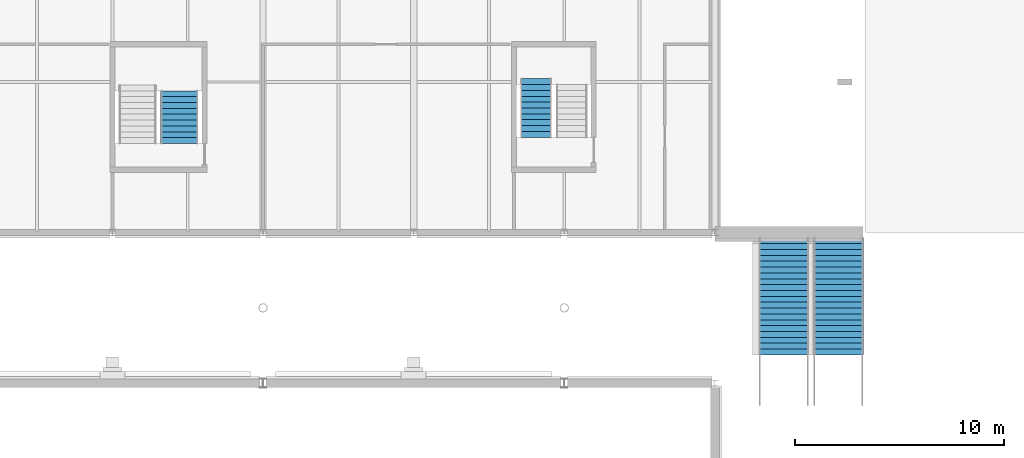
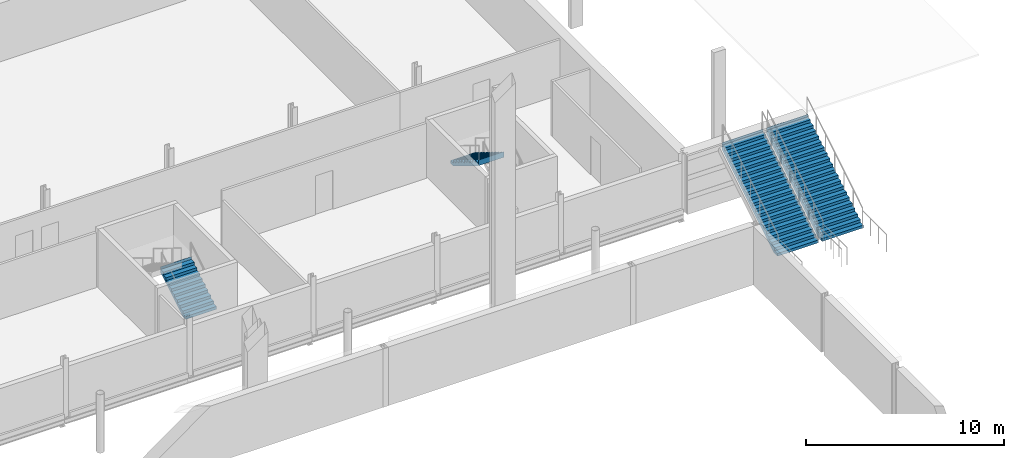
# One storey, part 75 of 90: 4 stair flights, 4 elements without a shape of their own.
"""IFC4 building model written with IfcOpenShell, lengths in metres."""

from ifc_helpers import new_model, si_unit, direction, frame, origin, place, context, subcontext, project, spatial, polyline, outline, extrude, material, type_object, element, aggregate, save


model = new_model("IFC4")

# Units and contexts
model_context = context("Model", 3, precision=1e-05, world=origin(), true_north=direction((0.0, 1.0)))
body_context = subcontext(model_context, "Body", "Model", "MODEL_VIEW")
ifc_project = project(units=[si_unit("LENGTHUNIT", "METRE"), si_unit("AREAUNIT", "SQUARE_METRE"), si_unit("VOLUMEUNIT", "CUBIC_METRE"), si_unit("PLANEANGLEUNIT", "RADIAN"), si_unit("MASSUNIT", "GRAM", prefix="KILO")], contexts=[model_context])

# Site, building, storey
site_placement = place(None, origin())
site = spatial("IfcSite", under=ifc_project, at=site_placement, CompositionType="ELEMENT")
building_placement = place(site_placement, origin())
building = spatial("IfcBuilding", under=site, at=building_placement, Name="Kupolbacken Congress Centre", CompositionType="ELEMENT")
storey_placement = place(building_placement, frame((0.0, 0.0, 3.60009765625)))
storey = spatial("IfcBuildingStorey", under=building, at=storey_placement, Name="L01", CompositionType="ELEMENT", Elevation=3.60009765625)

# Stair, stair flight
ifc_material_1 = material(Name="Steel S355", Category="steel")
stair_type_1 = type_object("IfcStairType", Name="ST2 stair 1500", PredefinedType="TWO_STRAIGHT_RUN_STAIR", material=ifc_material_1)
stair_1_placement = place(storey_placement, origin())
stair_1 = element("IfcStair", 1, at=stair_1_placement, inside=storey, type_object=stair_type_1, Name="C/stair/BS3/L01", PredefinedType="NOTDEFINED")
ifc_material_2 = material(Name="Steel S355", Category="steel")
stair_flight_type_1 = type_object("IfcStairFlightType", Name="FL4 stair flight 1500 x 11 risers", PredefinedType="STRAIGHT", material=ifc_material_2)
stair_flight_1_placement = place(storey_placement, frame((193.050048828125, 129.7548828125, 1.714111328125), z_axis=(0.0, 0.0, 1.0), x_axis=(0.0, -1.0, 0.0)))
stair_flight_1 = element("IfcStairFlight", 2, at=stair_flight_1_placement, type_object=stair_flight_type_1, Name="BS3 flight 2", NumberOfRisers=11, NumberOfTreads=10, PredefinedType="STRAIGHT", RiserHeight=0.171428571, TreadLength=0.28, context=body_context, shape_type="SweptSolid", body=[
    extrude(outline(polyline([(0.0, 0.0), (0.0, 0.0009765625), (0.0, 0.002197265625), (0.0, 0.003173828125), (0.0, 0.004150390625), (0.0, 0.00537109375), (0.0, 0.00634765625), (0.0, 0.007568359375), (0.0, 0.008544921875), (0.0, 0.009521484375), (0.0, 0.0107421875), (0.0, 0.01171875), (0.0, 0.0126953125), (0.0, 0.013916015625), (0.0, 0.014892578125), (0.0, 0.015869140625), (0.0, 0.01708984375), (0.0, 0.01806640625), (0.0, 0.019287109375), (0.0, 0.020263671875), (0.0, 0.021240234375), (0.0, 0.0224609375), (0.0, 0.0234375), (0.0, 0.0244140625), (0.0, 0.025634765625), (0.0, 0.026611328125), (0.0, 0.027587890625), (0.0, 0.02880859375), (0.0, 0.02978515625), (0.0, 0.03076171875), (0.0, 0.031982421875), (0.0, 0.032958984375), (0.0, 0.0341796875), (0.0, 0.03515625), (0.0, 0.0361328125), (0.0, 0.037353515625), (0.0, 0.038330078125), (0.0, 0.039306640625), (0.0, 0.04052734375), (0.0, 0.04150390625), (0.0, 0.04248046875), (0.0, 0.043701171875), (0.0, 0.044677734375), (0.0, 0.0458984375), (0.0, 0.046875), (0.0, 0.0478515625), (0.0, 0.049072265625), (0.0, 0.050048828125), (0.0, 0.051025390625), (0.0, 0.05224609375), (0.0, 0.05322265625), (0.0, 0.05419921875), (0.0, 0.055419921875), (0.0, 0.056396484375), (0.0, 0.0576171875), (0.0, 0.05859375), (0.0, 0.0595703125), (0.0, 0.060791015625), (0.0, 0.061767578125), (0.0, 0.062744140625), (0.0, 0.06396484375), (0.0, 0.06494140625), (0.0, 0.06591796875), (0.0, 0.067138671875), (0.0, 0.068115234375), (0.0, 0.069091796875), (0.0, 0.0703125), (0.0, 0.0712890625), (0.0, 0.072509765625), (0.0, 0.073486328125), (0.0, 0.074462890625), (0.0, 0.07568359375), (0.0, 0.07666015625), (0.0, 0.07763671875), (0.0, 0.078857421875), (0.0, 0.079833984375), (0.0, 0.080810546875), (0.0, 0.08203125), (0.0, 0.0830078125), (0.0, 0.084228515625), (0.0, 0.085205078125), (0.0, 0.086181640625), (0.0, 0.08740234375), (0.0, 0.08837890625), (0.0, 0.08935546875), (0.0, 0.090576171875), (0.0, 0.091552734375), (0.0, 0.092529296875), (0.0, 0.09375), (0.0, 0.0947265625), (0.0, 0.095947265625), (0.0, 0.096923828125), (0.0, 0.097900390625), (0.0, 0.09912109375), (0.0, 0.10009765625), (0.0, 0.10107421875), (0.0, 0.102294921875), (0.0, 0.103271484375), (0.0, 0.104248046875), (0.0, 0.10546875), (0.0, 0.1064453125), (0.0, 0.107421875), (0.0, 0.108642578125), (0.0, 0.109619140625), (0.0, 0.11083984375), (0.0, 0.11181640625), (0.0, 0.11279296875), (0.0, 0.114013671875), (0.0, 0.114990234375), (0.0, 0.115966796875), (0.0, 0.1171875), (0.0, 0.1181640625), (0.0, 0.119140625), (0.0, 0.120361328125), (0.0, 0.121337890625), (0.0, 0.12255859375), (0.0, 0.12353515625), (0.0, 0.12451171875), (0.0, 0.125732421875), (0.0, 0.126708984375), (0.0, 0.127685546875), (0.0, 0.12890625), (0.0, 0.1298828125), (0.0, 0.130859375), (0.0, 0.132080078125), (0.0, 0.133056640625), (0.0, 0.13427734375), (0.0, 0.13525390625), (0.0, 0.13623046875), (0.0, 0.137451171875), (0.0, 0.138427734375), (0.0, 0.139404296875), (0.0, 0.140625), (0.0, 0.1416015625), (0.0, 0.142578125), (0.0, 0.143798828125), (0.0, 0.144775390625), (0.0, 0.145751953125), (0.0, 0.14697265625), (0.0, 0.14794921875), (0.0, 0.149169921875), (0.0, 0.150146484375), (0.0, 0.151123046875), (0.0, 0.15234375), (0.0, 0.1533203125), (0.0, 0.154296875), (0.0, 0.155517578125), (0.0, 0.156494140625), (0.0, 0.157470703125), (0.0, 0.15869140625), (0.0, 0.15966796875), (0.0, 0.160888671875), (0.0, 0.161865234375), (0.0, 0.162841796875), (0.0, 0.1640625), (0.0, 0.1650390625), (0.0, 0.166015625), (0.0, 0.167236328125), (0.0, 0.168212890625), (0.0, 0.169189453125), (0.0, 0.17041015625), (0.0, 0.17138671875), (0.280029296875, 0.17138671875), (0.280029296875, 0.3427734375), (0.56005859375, 0.3427734375), (0.56005859375, 0.514404296875), (0.840087890625, 0.514404296875), (0.840087890625, 0.685791015625), (1.1201171875, 0.685791015625), (1.1201171875, 0.857177734375), (1.39990234375, 0.857177734375), (1.39990234375, 1.028564453125), (1.679931640625, 1.028564453125), (1.679931640625, 1.199951171875), (1.9599609375, 1.199951171875), (1.9599609375, 1.371337890625), (2.239990234375, 1.371337890625), (2.239990234375, 1.54296875), (2.52001953125, 1.54296875), (2.52001953125, 1.71435546875), (2.800048828125, 1.71435546875), (2.800048828125, 1.8857421875), (2.802001953125, 1.8857421875), (2.802001953125, 1.883544921875), (2.802001953125, 1.88134765625), (2.802001953125, 1.879150390625), (2.802001953125, 1.877197265625), (2.802001953125, 1.875), (2.802001953125, 1.872802734375), (2.802001953125, 1.87060546875), (2.802001953125, 1.868408203125), (2.802001953125, 1.8662109375), (2.802001953125, 1.8642578125), (2.802001953125, 1.862060546875), (2.802001953125, 1.85986328125), (2.802001953125, 1.857666015625), (2.802001953125, 1.85546875), (2.802001953125, 1.853271484375), (2.802001953125, 1.851318359375), (2.802001953125, 1.84912109375), (2.802001953125, 1.846923828125), (2.802001953125, 1.8447265625), (2.802001953125, 1.842529296875), (2.802001953125, 1.84033203125), (2.802001953125, 1.83837890625), (2.802001953125, 1.836181640625), (2.802001953125, 1.833984375), (2.802001953125, 1.831787109375), (2.802001953125, 1.82958984375), (2.802001953125, 1.827392578125), (2.802001953125, 1.825439453125), (2.802001953125, 1.8232421875), (2.802001953125, 1.821044921875), (2.802001953125, 1.81884765625), (2.802001953125, 1.816650390625), (2.802001953125, 1.814453125), (2.802001953125, 1.8125), (2.802001953125, 1.810302734375), (2.802001953125, 1.80810546875), (2.802001953125, 1.805908203125), (2.802001953125, 1.8037109375), (2.802001953125, 1.801513671875), (2.802001953125, 1.799560546875), (2.802001953125, 1.79736328125), (2.802001953125, 1.795166015625), (2.802001953125, 1.79296875), (2.802001953125, 1.790771484375), (2.802001953125, 1.78857421875), (2.802001953125, 1.78662109375), (2.802001953125, 1.784423828125), (2.802001953125, 1.7822265625), (2.802001953125, 1.780029296875), (2.802001953125, 1.77783203125), (2.802001953125, 1.775634765625), (2.802001953125, 1.773681640625), (2.802001953125, 1.771484375), (2.802001953125, 1.769287109375), (2.802001953125, 1.76708984375), (2.802001953125, 1.764892578125), (2.802001953125, 1.7626953125), (2.802001953125, 1.7607421875), (2.802001953125, 1.758544921875), (2.802001953125, 1.75634765625), (2.802001953125, 1.754150390625), (2.802001953125, 1.751953125), (2.802001953125, 1.749755859375), (2.802001953125, 1.747802734375), (2.802001953125, 1.74560546875), (2.802001953125, 1.743408203125), (2.802001953125, 1.7412109375), (2.802001953125, 1.739013671875), (2.802001953125, 1.73681640625), (2.802001953125, 1.73486328125), (2.802001953125, 1.732666015625), (2.802001953125, 1.73046875), (2.802001953125, 1.728271484375), (2.802001953125, 1.72607421875), (2.802001953125, 1.723876953125), (2.802001953125, 1.721923828125), (2.802001953125, 1.7197265625), (2.802001953125, 1.717529296875), (2.802001953125, 1.71533203125), (2.802001953125, 1.713134765625), (2.802001953125, 1.7109375), (2.802001953125, 1.708984375), (2.802001953125, 1.706787109375), (2.802001953125, 1.70458984375), (2.802001953125, 1.702392578125), (2.802001953125, 1.7001953125), (2.802001953125, 1.697998046875), (2.802001953125, 1.696044921875), (2.802001953125, 1.69384765625), (2.802001953125, 1.691650390625), (2.802001953125, 1.689453125), (2.802001953125, 1.687255859375), (2.802001953125, 1.68505859375), (2.802001953125, 1.68310546875), (2.802001953125, 1.680908203125), (2.802001953125, 1.6787109375), (2.802001953125, 1.676513671875), (2.802001953125, 1.67431640625), (2.802001953125, 1.672119140625), (2.802001953125, 1.670166015625), (2.802001953125, 1.66796875), (2.802001953125, 1.665771484375), (2.802001953125, 1.66357421875), (2.802001953125, 1.661376953125), (2.802001953125, 1.6591796875), (2.802001953125, 1.6572265625), (2.802001953125, 1.655029296875), (2.802001953125, 1.65283203125), (2.802001953125, 1.650634765625), (2.802001953125, 1.6484375), (2.802001953125, 1.646240234375), (2.802001953125, 1.644287109375), (2.802001953125, 1.64208984375), (2.802001953125, 1.639892578125), (2.802001953125, 1.6376953125), (2.802001953125, 1.635498046875), (2.802001953125, 1.63330078125), (2.802001953125, 1.63134765625), (2.802001953125, 1.629150390625), (2.802001953125, 1.626953125), (2.802001953125, 1.624755859375), (2.802001953125, 1.62255859375), (2.802001953125, 1.620361328125), (2.802001953125, 1.618408203125), (2.802001953125, 1.6162109375), (2.802001953125, 1.614013671875), (2.802001953125, 1.61181640625), (2.802001953125, 1.609619140625), (2.802001953125, 1.607421875), (2.802001953125, 1.60546875), (2.802001953125, 1.603271484375), (2.802001953125, 1.60107421875), (2.802001953125, 1.598876953125), (2.802001953125, 1.5966796875), (2.802001953125, 1.594482421875), (2.802001953125, 1.592529296875), (2.802001953125, 1.59033203125), (2.802001953125, 1.588134765625), (2.802001953125, 1.5859375), (2.802001953125, 1.583740234375), (2.802001953125, 1.58154296875), (2.802001953125, 1.57958984375), (2.802001953125, 1.577392578125), (2.802001953125, 1.5751953125), (2.802001953125, 1.572998046875), (2.802001953125, 1.57080078125), (2.802001953125, 1.568603515625), (2.802001953125, 1.566650390625), (2.802001953125, 1.564453125), (2.802001953125, 1.562255859375), (2.802001953125, 1.56005859375), (2.802001953125, 1.557861328125), (2.802001953125, 1.5556640625), (2.802001953125, 1.5537109375), (2.802001953125, 1.551513671875), (2.802001953125, 1.54931640625), (2.802001953125, 1.547119140625), (2.802001953125, 1.544921875), (2.802001953125, 1.542724609375), (2.802001953125, 1.540771484375), (2.802001953125, 1.53857421875), (0.2890625, 0.0), (0.0, 0.0)])), frame((0.0, 0.75, 0.0), z_axis=(0.0, -1.0, 0.0), x_axis=(1.0, 0.0, 0.0)), (0.0, 0.0, 1.0), 1.5),
])
aggregate(stair_1, [stair_flight_1])

ifc_material_3 = material(Name="Steel S355", Category="steel")
stair_type_2 = type_object("IfcStairType", Name="ST3 stair 1800", PredefinedType="TWO_STRAIGHT_RUN_STAIR", material=ifc_material_3)
stair_2_placement = place(storey_placement, origin())
stair_2 = element("IfcStair", 3, at=stair_2_placement, inside=storey, type_object=stair_type_2, Name="C/stair/BS4/L01", PredefinedType="NOTDEFINED")
ifc_material_4 = material(Name="Steel S355", Category="steel")
stair_flight_type_2 = type_object("IfcStairFlightType", Name="FL5 stair flight 1800 x 10 risers", PredefinedType="STRAIGHT", material=ifc_material_4)
stair_flight_2_placement = place(storey_placement, frame((176.0, 126.655029296875, 0.0), z_axis=(0.0, 0.0, 1.0), x_axis=(0.0, 1.0, 0.0)))
stair_flight_2 = element("IfcStairFlight", 4, at=stair_flight_2_placement, type_object=stair_flight_type_2, Name="BS4 flight 1", NumberOfRisers=10, NumberOfTreads=9, PredefinedType="STRAIGHT", RiserHeight=0.171428571, TreadLength=0.28, context=body_context, shape_type="SweptSolid", body=[
    extrude(outline(polyline([(0.0, 0.0), (0.0, 0.0009765625), (0.0, 0.002197265625), (0.0, 0.003173828125), (0.0, 0.004150390625), (0.0, 0.00537109375), (0.0, 0.00634765625), (0.0, 0.007568359375), (0.0, 0.008544921875), (0.0, 0.009521484375), (0.0, 0.0107421875), (0.0, 0.01171875), (0.0, 0.0126953125), (0.0, 0.013916015625), (0.0, 0.014892578125), (0.0, 0.015869140625), (0.0, 0.01708984375), (0.0, 0.01806640625), (0.0, 0.019287109375), (0.0, 0.020263671875), (0.0, 0.021240234375), (0.0, 0.0224609375), (0.0, 0.0234375), (0.0, 0.0244140625), (0.0, 0.025634765625), (0.0, 0.026611328125), (0.0, 0.027587890625), (0.0, 0.02880859375), (0.0, 0.02978515625), (0.0, 0.03076171875), (0.0, 0.031982421875), (0.0, 0.032958984375), (0.0, 0.0341796875), (0.0, 0.03515625), (0.0, 0.0361328125), (0.0, 0.037353515625), (0.0, 0.038330078125), (0.0, 0.039306640625), (0.0, 0.04052734375), (0.0, 0.04150390625), (0.0, 0.04248046875), (0.0, 0.043701171875), (0.0, 0.044677734375), (0.0, 0.0458984375), (0.0, 0.046875), (0.0, 0.0478515625), (0.0, 0.049072265625), (0.0, 0.050048828125), (0.0, 0.051025390625), (0.0, 0.05224609375), (0.0, 0.05322265625), (0.0, 0.05419921875), (0.0, 0.055419921875), (0.0, 0.056396484375), (0.0, 0.0576171875), (0.0, 0.05859375), (0.0, 0.0595703125), (0.0, 0.060791015625), (0.0, 0.061767578125), (0.0, 0.062744140625), (0.0, 0.06396484375), (0.0, 0.06494140625), (0.0, 0.06591796875), (0.0, 0.067138671875), (0.0, 0.068115234375), (0.0, 0.069091796875), (0.0, 0.0703125), (0.0, 0.0712890625), (0.0, 0.072509765625), (0.0, 0.073486328125), (0.0, 0.074462890625), (0.0, 0.07568359375), (0.0, 0.07666015625), (0.0, 0.07763671875), (0.0, 0.078857421875), (0.0, 0.079833984375), (0.0, 0.080810546875), (0.0, 0.08203125), (0.0, 0.0830078125), (0.0, 0.084228515625), (0.0, 0.085205078125), (0.0, 0.086181640625), (0.0, 0.08740234375), (0.0, 0.08837890625), (0.0, 0.08935546875), (0.0, 0.090576171875), (0.0, 0.091552734375), (0.0, 0.092529296875), (0.0, 0.09375), (0.0, 0.0947265625), (0.0, 0.095947265625), (0.0, 0.096923828125), (0.0, 0.097900390625), (0.0, 0.09912109375), (0.0, 0.10009765625), (0.0, 0.10107421875), (0.0, 0.102294921875), (0.0, 0.103271484375), (0.0, 0.104248046875), (0.0, 0.10546875), (0.0, 0.1064453125), (0.0, 0.107421875), (0.0, 0.108642578125), (0.0, 0.109619140625), (0.0, 0.11083984375), (0.0, 0.11181640625), (0.0, 0.11279296875), (0.0, 0.114013671875), (0.0, 0.114990234375), (0.0, 0.115966796875), (0.0, 0.1171875), (0.0, 0.1181640625), (0.0, 0.119140625), (0.0, 0.120361328125), (0.0, 0.121337890625), (0.0, 0.12255859375), (0.0, 0.12353515625), (0.0, 0.12451171875), (0.0, 0.125732421875), (0.0, 0.126708984375), (0.0, 0.127685546875), (0.0, 0.12890625), (0.0, 0.1298828125), (0.0, 0.130859375), (0.0, 0.132080078125), (0.0, 0.133056640625), (0.0, 0.13427734375), (0.0, 0.13525390625), (0.0, 0.13623046875), (0.0, 0.137451171875), (0.0, 0.138427734375), (0.0, 0.139404296875), (0.0, 0.140625), (0.0, 0.1416015625), (0.0, 0.142578125), (0.0, 0.143798828125), (0.0, 0.144775390625), (0.0, 0.145751953125), (0.0, 0.14697265625), (0.0, 0.14794921875), (0.0, 0.149169921875), (0.0, 0.150146484375), (0.0, 0.151123046875), (0.0, 0.15234375), (0.0, 0.1533203125), (0.0, 0.154296875), (0.0, 0.155517578125), (0.0, 0.156494140625), (0.0, 0.157470703125), (0.0, 0.15869140625), (0.0, 0.15966796875), (0.0, 0.160888671875), (0.0, 0.161865234375), (0.0, 0.162841796875), (0.0, 0.1640625), (0.0, 0.1650390625), (0.0, 0.166015625), (0.0, 0.167236328125), (0.0, 0.168212890625), (0.0, 0.169189453125), (0.0, 0.17041015625), (0.0, 0.17138671875), (0.280029296875, 0.17138671875), (0.280029296875, 0.3427734375), (0.56005859375, 0.3427734375), (0.56005859375, 0.514404296875), (0.840087890625, 0.514404296875), (0.840087890625, 0.685791015625), (1.1201171875, 0.685791015625), (1.1201171875, 0.857177734375), (1.39990234375, 0.857177734375), (1.39990234375, 1.028564453125), (1.679931640625, 1.028564453125), (1.679931640625, 1.199951171875), (1.9599609375, 1.199951171875), (1.9599609375, 1.371337890625), (2.239990234375, 1.371337890625), (2.239990234375, 1.54296875), (2.52001953125, 1.54296875), (2.52001953125, 1.71435546875), (2.52197265625, 1.71435546875), (2.52197265625, 1.712158203125), (2.52197265625, 1.7099609375), (2.52197265625, 1.707763671875), (2.52197265625, 1.70556640625), (2.52197265625, 1.70361328125), (2.52197265625, 1.701416015625), (2.52197265625, 1.69921875), (2.52197265625, 1.697021484375), (2.52197265625, 1.69482421875), (2.52197265625, 1.692626953125), (2.52197265625, 1.690673828125), (2.52197265625, 1.6884765625), (2.52197265625, 1.686279296875), (2.52197265625, 1.68408203125), (2.52197265625, 1.681884765625), (2.52197265625, 1.6796875), (2.52197265625, 1.677734375), (2.52197265625, 1.675537109375), (2.52197265625, 1.67333984375), (2.52197265625, 1.671142578125), (2.52197265625, 1.6689453125), (2.52197265625, 1.666748046875), (2.52197265625, 1.664794921875), (2.52197265625, 1.66259765625), (2.52197265625, 1.660400390625), (2.52197265625, 1.658203125), (2.52197265625, 1.656005859375), (2.52197265625, 1.65380859375), (2.52197265625, 1.65185546875), (2.52197265625, 1.649658203125), (2.52197265625, 1.6474609375), (2.52197265625, 1.645263671875), (2.52197265625, 1.64306640625), (2.52197265625, 1.640869140625), (2.52197265625, 1.638916015625), (2.52197265625, 1.63671875), (2.52197265625, 1.634521484375), (2.52197265625, 1.63232421875), (2.52197265625, 1.630126953125), (2.52197265625, 1.6279296875), (2.52197265625, 1.6259765625), (2.52197265625, 1.623779296875), (2.52197265625, 1.62158203125), (2.52197265625, 1.619384765625), (2.52197265625, 1.6171875), (2.52197265625, 1.614990234375), (2.52197265625, 1.613037109375), (2.52197265625, 1.61083984375), (2.52197265625, 1.608642578125), (2.52197265625, 1.6064453125), (2.52197265625, 1.604248046875), (2.52197265625, 1.60205078125), (2.52197265625, 1.60009765625), (2.52197265625, 1.597900390625), (2.52197265625, 1.595703125), (2.52197265625, 1.593505859375), (2.52197265625, 1.59130859375), (2.52197265625, 1.589111328125), (2.52197265625, 1.587158203125), (2.52197265625, 1.5849609375), (2.52197265625, 1.582763671875), (2.52197265625, 1.58056640625), (2.52197265625, 1.578369140625), (2.52197265625, 1.576171875), (2.52197265625, 1.57421875), (2.52197265625, 1.572021484375), (2.52197265625, 1.56982421875), (2.52197265625, 1.567626953125), (2.52197265625, 1.5654296875), (2.52197265625, 1.563232421875), (2.52197265625, 1.561279296875), (2.52197265625, 1.55908203125), (2.52197265625, 1.556884765625), (2.52197265625, 1.5546875), (2.52197265625, 1.552490234375), (2.52197265625, 1.55029296875), (2.52197265625, 1.54833984375), (2.52197265625, 1.546142578125), (2.52197265625, 1.5439453125), (2.52197265625, 1.541748046875), (2.52197265625, 1.53955078125), (2.52197265625, 1.537353515625), (2.52197265625, 1.535400390625), (2.52197265625, 1.533203125), (2.52197265625, 1.531005859375), (2.52197265625, 1.52880859375), (2.52197265625, 1.526611328125), (2.52197265625, 1.5244140625), (2.52197265625, 1.5224609375), (2.52197265625, 1.520263671875), (2.52197265625, 1.51806640625), (2.52197265625, 1.515869140625), (2.52197265625, 1.513671875), (2.52197265625, 1.511474609375), (2.52197265625, 1.509521484375), (2.52197265625, 1.50732421875), (2.52197265625, 1.505126953125), (2.52197265625, 1.5029296875), (2.52197265625, 1.500732421875), (2.52197265625, 1.49853515625), (2.52197265625, 1.49658203125), (2.52197265625, 1.494384765625), (2.52197265625, 1.4921875), (2.52197265625, 1.489990234375), (2.52197265625, 1.48779296875), (2.52197265625, 1.485595703125), (2.52197265625, 1.483642578125), (2.52197265625, 1.4814453125), (2.52197265625, 1.479248046875), (2.52197265625, 1.47705078125), (2.52197265625, 1.474853515625), (2.52197265625, 1.47265625), (2.52197265625, 1.470703125), (2.52197265625, 1.468505859375), (2.52197265625, 1.46630859375), (2.52197265625, 1.464111328125), (2.52197265625, 1.4619140625), (2.52197265625, 1.459716796875), (2.52197265625, 1.457763671875), (2.52197265625, 1.45556640625), (2.52197265625, 1.453369140625), (2.52197265625, 1.451171875), (2.52197265625, 1.448974609375), (2.52197265625, 1.44677734375), (2.52197265625, 1.44482421875), (2.52197265625, 1.442626953125), (2.52197265625, 1.4404296875), (2.52197265625, 1.438232421875), (2.52197265625, 1.43603515625), (2.52197265625, 1.433837890625), (2.52197265625, 1.431884765625), (2.52197265625, 1.4296875), (2.52197265625, 1.427490234375), (2.52197265625, 1.42529296875), (2.52197265625, 1.423095703125), (2.52197265625, 1.4208984375), (2.52197265625, 1.4189453125), (2.52197265625, 1.416748046875), (2.52197265625, 1.41455078125), (2.52197265625, 1.412353515625), (2.52197265625, 1.41015625), (2.52197265625, 1.407958984375), (2.52197265625, 1.406005859375), (2.52197265625, 1.40380859375), (2.52197265625, 1.401611328125), (2.52197265625, 1.3994140625), (2.52197265625, 1.397216796875), (2.52197265625, 1.39501953125), (2.52197265625, 1.39306640625), (2.52197265625, 1.390869140625), (2.52197265625, 1.388671875), (2.52197265625, 1.386474609375), (2.52197265625, 1.38427734375), (2.52197265625, 1.382080078125), (2.52197265625, 1.380126953125), (2.52197265625, 1.3779296875), (2.52197265625, 1.375732421875), (2.52197265625, 1.37353515625), (2.52197265625, 1.371337890625), (2.52197265625, 1.369140625), (2.52197265625, 1.3671875), (0.2890625, 0.0), (0.0, 0.0)])), frame((0.0, 0.89990234375, 0.0), z_axis=(0.0, -1.0, 0.0), x_axis=(1.0, 0.0, 0.0)), (0.0, 0.0, 1.0), 1.800048828125),
])
aggregate(stair_2, [stair_flight_2])

ifc_material_5 = material(Name="Steel S355", Category="steel")
stair_type_3 = type_object("IfcStairType", Name="ST4 stair 2400", PredefinedType="STRAIGHT_RUN_STAIR", material=ifc_material_5)
stair_3_placement = place(storey_placement, origin())
stair_3 = element("IfcStair", 5, at=stair_3_placement, inside=storey, type_object=stair_type_3, Name="External stair XS2", PredefinedType="STRAIGHT_RUN_STAIR")
ifc_material_6 = material(Name="Steel S355", Category="steel")
stair_flight_type_3 = type_object("IfcStairFlightType", Name="FL7 stair flight 2400 x 21 risers", PredefinedType="STRAIGHT", material=ifc_material_6)
stair_flight_3_placement = place(storey_placement, frame((204.89990234375, 116.550048828125, 0.0), z_axis=(0.0, 0.0, 1.0), x_axis=(0.0, 1.0, 0.0)))
stair_flight_3 = element("IfcStairFlight", 6, at=stair_flight_3_placement, type_object=stair_flight_type_3, Name="ST4 flight 1", NumberOfRisers=21, NumberOfTreads=20, PredefinedType="STRAIGHT", RiserHeight=0.1714, TreadLength=0.28, context=body_context, shape_type="SweptSolid", body=[
    extrude(outline(polyline([(0.0, 0.0), (0.0, 0.01318359375), (0.0, 0.0263671875), (0.0, 0.03955078125), (0.0, 0.052734375), (0.0, 0.06591796875), (0.0, 0.0791015625), (0.0, 0.09228515625), (0.0, 0.10546875), (0.0, 0.11865234375), (0.0, 0.1318359375), (0.0, 0.14501953125), (0.0, 0.158203125), (0.0, 0.17138671875), (0.280029296875, 0.17138671875), (0.280029296875, 0.3427734375), (0.56005859375, 0.3427734375), (0.56005859375, 0.51416015625), (0.840087890625, 0.51416015625), (0.840087890625, 0.685546875), (1.1201171875, 0.685546875), (1.1201171875, 0.85693359375), (1.39990234375, 0.85693359375), (1.39990234375, 1.0283203125), (1.679931640625, 1.0283203125), (1.679931640625, 1.19970703125), (1.9599609375, 1.19970703125), (1.9599609375, 1.37109375), (2.239990234375, 1.37109375), (2.239990234375, 1.54248046875), (2.52001953125, 1.54248046875), (2.52001953125, 1.714111328125), (2.800048828125, 1.714111328125), (2.800048828125, 1.885498046875), (3.080078125, 1.885498046875), (3.080078125, 2.056884765625), (3.360107421875, 2.056884765625), (3.360107421875, 2.228271484375), (3.639892578125, 2.228271484375), (3.639892578125, 2.399658203125), (3.919921875, 2.399658203125), (3.919921875, 2.571044921875), (4.199951171875, 2.571044921875), (4.199951171875, 2.742431640625), (4.47998046875, 2.742431640625), (4.47998046875, 2.913818359375), (4.760009765625, 2.913818359375), (4.760009765625, 3.085205078125), (5.0400390625, 3.085205078125), (5.0400390625, 3.256591796875), (5.320068359375, 3.256591796875), (5.320068359375, 3.427978515625), (5.60009765625, 3.427978515625), (5.60009765625, 3.599365234375), (5.60205078125, 3.599365234375), (5.60205078125, 3.568115234375), (5.60205078125, 3.536865234375), (5.60205078125, 3.505859375), (5.60205078125, 3.474609375), (5.60205078125, 3.443359375), (5.60205078125, 3.412109375), (5.60205078125, 3.380859375), (5.60205078125, 3.349609375), (5.60205078125, 3.318359375), (5.60205078125, 3.287109375), (5.60205078125, 3.256103515625), (5.60205078125, 3.224853515625), (5.60205078125, 3.193603515625), (0.385009765625, 0.0), (0.0, 0.0)])), frame((0.0, 1.199951171875, 0.0), z_axis=(0.0, -1.0, 0.0), x_axis=(1.0, 0.0, 0.0)), (0.0, 0.0, 1.0), 2.39990234375),
])
aggregate(stair_3, [stair_flight_3])

stair_4_placement = place(storey_placement, origin())
stair_4 = element("IfcStair", 7, at=stair_4_placement, inside=storey, type_object=stair_type_3, Name="External stair XS3", PredefinedType="STRAIGHT_RUN_STAIR")
stair_flight_4_placement = place(storey_placement, frame((207.5, 116.550048828125, 0.0), z_axis=(0.0, 0.0, 1.0), x_axis=(0.0, 1.0, 0.0)))
stair_flight_4 = element("IfcStairFlight", 8, at=stair_flight_4_placement, type_object=stair_flight_type_3, Name="ST4 flight 1", NumberOfRisers=21, NumberOfTreads=20, PredefinedType="STRAIGHT", RiserHeight=0.1714, TreadLength=0.28, context=body_context, shape_type="SweptSolid", body=[
    extrude(outline(polyline([(0.0, 0.0), (0.0, 0.01318359375), (0.0, 0.0263671875), (0.0, 0.03955078125), (0.0, 0.052734375), (0.0, 0.06591796875), (0.0, 0.0791015625), (0.0, 0.09228515625), (0.0, 0.10546875), (0.0, 0.11865234375), (0.0, 0.1318359375), (0.0, 0.14501953125), (0.0, 0.158203125), (0.0, 0.17138671875), (0.280029296875, 0.17138671875), (0.280029296875, 0.3427734375), (0.56005859375, 0.3427734375), (0.56005859375, 0.51416015625), (0.840087890625, 0.51416015625), (0.840087890625, 0.685546875), (1.1201171875, 0.685546875), (1.1201171875, 0.85693359375), (1.39990234375, 0.85693359375), (1.39990234375, 1.0283203125), (1.679931640625, 1.0283203125), (1.679931640625, 1.19970703125), (1.9599609375, 1.19970703125), (1.9599609375, 1.37109375), (2.239990234375, 1.37109375), (2.239990234375, 1.54248046875), (2.52001953125, 1.54248046875), (2.52001953125, 1.714111328125), (2.800048828125, 1.714111328125), (2.800048828125, 1.885498046875), (3.080078125, 1.885498046875), (3.080078125, 2.056884765625), (3.360107421875, 2.056884765625), (3.360107421875, 2.228271484375), (3.639892578125, 2.228271484375), (3.639892578125, 2.399658203125), (3.919921875, 2.399658203125), (3.919921875, 2.571044921875), (4.199951171875, 2.571044921875), (4.199951171875, 2.742431640625), (4.47998046875, 2.742431640625), (4.47998046875, 2.913818359375), (4.760009765625, 2.913818359375), (4.760009765625, 3.085205078125), (5.0400390625, 3.085205078125), (5.0400390625, 3.256591796875), (5.320068359375, 3.256591796875), (5.320068359375, 3.427978515625), (5.60009765625, 3.427978515625), (5.60009765625, 3.599365234375), (5.60205078125, 3.599365234375), (5.60205078125, 3.568115234375), (5.60205078125, 3.536865234375), (5.60205078125, 3.505859375), (5.60205078125, 3.474609375), (5.60205078125, 3.443359375), (5.60205078125, 3.412109375), (5.60205078125, 3.380859375), (5.60205078125, 3.349609375), (5.60205078125, 3.318359375), (5.60205078125, 3.287109375), (5.60205078125, 3.256103515625), (5.60205078125, 3.224853515625), (5.60205078125, 3.193603515625), (0.385009765625, 0.0), (0.0, 0.0)])), frame((0.0, 1.199951171875, 0.0), z_axis=(0.0, -1.0, 0.0), x_axis=(1.0, 0.0, 0.0)), (0.0, 0.0, 1.0), 2.39990234375),
])
aggregate(stair_4, [stair_flight_4])

save(model, "model.ifc")
